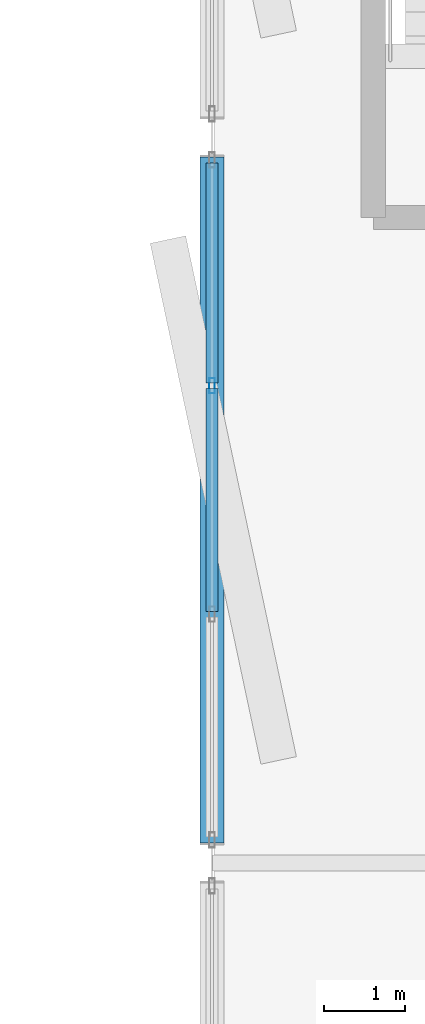
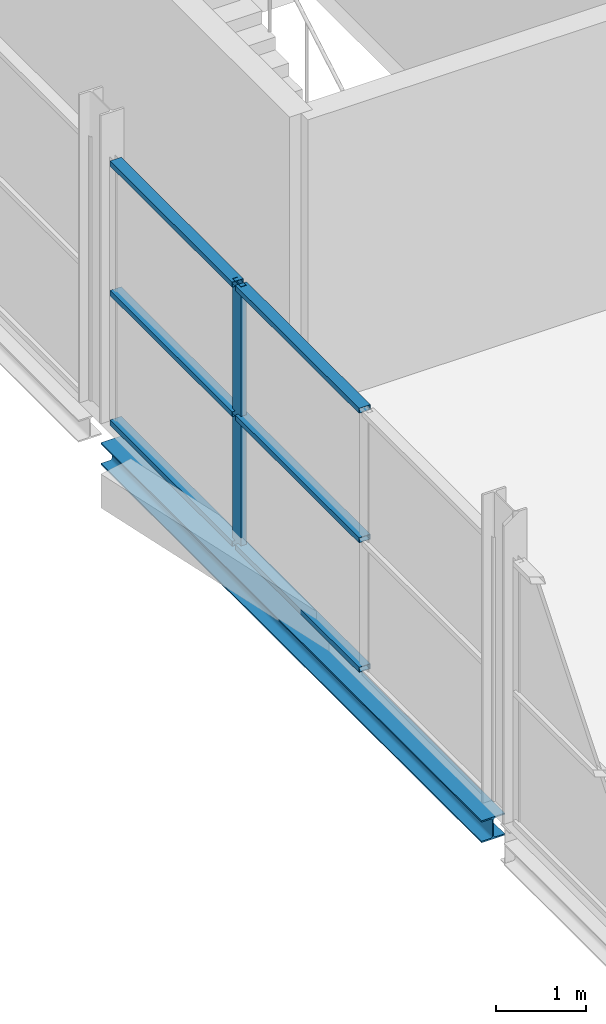
# One storey, part 57 of 132: 7 members, 1 beam, 1 element without a shape of its own.
"""IFC4 building model written with IfcOpenShell, lengths in metres."""

from ifc_helpers import new_model, si_unit, direction, frame, origin, origin_2d, place, context, subcontext, project, spatial, hollow_rectangle, i_section, extrude, material, layer, layer_set, material_profile, profile_set, type_object, element, aggregate, save


model = new_model("IFC4")

# Units and contexts
model_context = context("Model", 3, precision=1e-05, world=origin(), true_north=direction((0.0, 1.0)))
body_context = subcontext(model_context, "Body", "Model", "MODEL_VIEW")
ifc_project = project(units=[si_unit("LENGTHUNIT", "METRE"), si_unit("AREAUNIT", "SQUARE_METRE"), si_unit("VOLUMEUNIT", "CUBIC_METRE"), si_unit("PLANEANGLEUNIT", "RADIAN"), si_unit("MASSUNIT", "GRAM", prefix="KILO")], contexts=[model_context])

# Site, building, storey
site_placement = place(None, origin())
site = spatial("IfcSite", under=ifc_project, at=site_placement, CompositionType="ELEMENT")
building_placement = place(site_placement, origin())
building = spatial("IfcBuilding", under=site, at=building_placement, Name="Deido Ridge Mobility Hub", CompositionType="ELEMENT")
storey_placement = place(building_placement, frame((0.0, 0.0, 8.39990234375)))
storey = spatial("IfcBuildingStorey", under=building, at=storey_placement, Name="L02", CompositionType="ELEMENT", Elevation=8.39990234375)

# Curtain wall, members
ifc_material_1 = material(Name="Anodised aluminium EN AW-6063 T6", Category="aluminium")
ifc_layer = layer(ifc_material_1, 0.195068359375, Name="Anodised aluminium EN AW-6063 T6")
ifc_layer_set = layer_set([ifc_layer], Name="Anodised aluminium EN AW-6063 T6")
curtain_wall_type = type_object("IfcCurtainWallType", Name="CW-UF-3", PredefinedType="USERDEFINED", material=ifc_layer_set)
curtain_wall_placement = place(storey_placement, origin())
curtain_wall = element("IfcCurtainWall", 1, at=curtain_wall_placement, inside=storey, type_object=curtain_wall_type, Name="Unitised curtain wall CW3", ObjectType="UNITISED FACADE", PredefinedType="USERDEFINED")
ifc_material_profile_1 = material_profile(ifc_material_1, hollow_rectangle(XDim=0.070068359375, YDim=0.18994140625, WallThickness=0.00390625, at=origin_2d()), Name="RHS 70x190x4")
ifc_profile_set_1 = profile_set([ifc_material_profile_1], Name="Anodised aluminium EN AW-6063 T6")
member_type_1 = type_object("IfcMemberType", Name="MEM-MUL-70X190", PredefinedType="MULLION", material=ifc_profile_set_1)
member_1_placement = place(storey_placement, frame((72.0, 59.916748046875, 0.0), z_axis=(0.0, 0.0, 1.0), x_axis=(-1.0, 0.0, 0.0)))
member_1 = element("IfcMember", 2, at=member_1_placement, type_object=member_type_1, Name="CW3 mullion 3", PredefinedType="MULLION", context=body_context, shape_type="SweptSolid", body=[
    extrude(hollow_rectangle(XDim=0.070068359375, YDim=0.18994140625, WallThickness=0.00390625, at=origin_2d()), origin(), (0.0, 0.0, 1.0), 3.60009765625),
])
ifc_material_profile_2 = material_profile(ifc_material_1, hollow_rectangle(XDim=0.14501953125, YDim=0.070068359375, WallThickness=0.00390625, at=origin_2d()), Name="RHS 145x70x4")
ifc_profile_set_2 = profile_set([ifc_material_profile_2], Name="Anodised aluminium EN AW-6063 T6")
member_type_2 = type_object("IfcMemberType", Name="MEM-TRN-145X70", PredefinedType="USERDEFINED", material=ifc_profile_set_2)
member_2_placement = place(storey_placement, frame((72.0, 57.118408203125, 0.03515625), z_axis=(0.0, 1.0, 0.0), x_axis=(-1.0, 0.0, 0.0)))
member_2 = element("IfcMember", 3, at=member_2_placement, type_object=member_type_2, Name="CW3 transom 2.1", ObjectType="TRANSOM", PredefinedType="USERDEFINED", context=body_context, shape_type="SweptSolid", body=[
    extrude(hollow_rectangle(XDim=0.14501953125, YDim=0.070068359375, WallThickness=0.00390625, at=origin_2d()), origin(), (0.0, 0.0, 1.0), 2.76318359375),
])
member_3_placement = place(storey_placement, frame((72.0, 57.118408203125, 1.800048828125), z_axis=(0.0, 1.0, 0.0), x_axis=(-1.0, 0.0, 0.0)))
member_3 = element("IfcMember", 4, at=member_3_placement, type_object=member_type_2, Name="CW3 transom 2.2", ObjectType="TRANSOM", PredefinedType="USERDEFINED", context=body_context, shape_type="SweptSolid", body=[
    extrude(hollow_rectangle(XDim=0.14501953125, YDim=0.070068359375, WallThickness=0.00390625, at=origin_2d()), origin(), (0.0, 0.0, 1.0), 2.76318359375),
])
member_4_placement = place(storey_placement, frame((72.0, 57.118408203125, 3.565185546875), z_axis=(0.0, 1.0, 0.0), x_axis=(-1.0, 0.0, 0.0)))
member_4 = element("IfcMember", 5, at=member_4_placement, type_object=member_type_2, Name="CW3 transom 2.3", ObjectType="TRANSOM", PredefinedType="USERDEFINED", context=body_context, shape_type="SweptSolid", body=[
    extrude(hollow_rectangle(XDim=0.14501953125, YDim=0.070068359375, WallThickness=0.00390625, at=origin_2d()), origin(), (0.0, 0.0, 1.0), 2.76318359375),
])
member_5_placement = place(storey_placement, frame((72.0, 59.95166015625, 0.03515625), z_axis=(0.0, 1.0, 0.0), x_axis=(-1.0, 0.0, 0.0)))
member_5 = element("IfcMember", 6, at=member_5_placement, type_object=member_type_2, Name="CW3 transom 3.1", ObjectType="TRANSOM", PredefinedType="USERDEFINED", context=body_context, shape_type="SweptSolid", body=[
    extrude(hollow_rectangle(XDim=0.14501953125, YDim=0.070068359375, WallThickness=0.00390625, at=origin_2d()), origin(), (0.0, 0.0, 1.0), 2.728271484375),
])
member_6_placement = place(storey_placement, frame((72.0, 59.95166015625, 1.800048828125), z_axis=(0.0, 1.0, 0.0), x_axis=(-1.0, 0.0, 0.0)))
member_6 = element("IfcMember", 7, at=member_6_placement, type_object=member_type_2, Name="CW3 transom 3.2", ObjectType="TRANSOM", PredefinedType="USERDEFINED", context=body_context, shape_type="SweptSolid", body=[
    extrude(hollow_rectangle(XDim=0.14501953125, YDim=0.070068359375, WallThickness=0.00390625, at=origin_2d()), origin(), (0.0, 0.0, 1.0), 2.728271484375),
])
member_7_placement = place(storey_placement, frame((72.0, 59.95166015625, 3.565185546875), z_axis=(0.0, 1.0, 0.0), x_axis=(-1.0, 0.0, 0.0)))
member_7 = element("IfcMember", 8, at=member_7_placement, type_object=member_type_2, Name="CW3 transom 3.3", ObjectType="TRANSOM", PredefinedType="USERDEFINED", context=body_context, shape_type="SweptSolid", body=[
    extrude(hollow_rectangle(XDim=0.14501953125, YDim=0.070068359375, WallThickness=0.00390625, at=origin_2d()), origin(), (0.0, 0.0, 1.0), 2.728271484375),
])
aggregate(curtain_wall, [member_1, member_2, member_3, member_4, member_5, member_6, member_7])

# Beam
ifc_material_2 = material(Name="Steel S355J2 EN 10025-2", Category="steel")
ifc_material_profile_3 = material_profile(ifc_material_2, i_section(OverallWidth=0.300048828125, OverallDepth=0.300048828125, WebThickness=0.010986328125, FlangeThickness=0.01904296875, FilletRadius=0.027099609375, at=origin_2d()), Name="HEB 300")
ifc_profile_set_3 = profile_set([ifc_material_profile_3], Name="Steel S355J2 EN 10025-2")
beam_type = type_object("IfcBeamType", Name="SPD-HEB300", PredefinedType="SPANDREL", material=ifc_profile_set_3)
beam_placement = place(storey_placement, frame((72.0, 54.25, -0.40478515625), z_axis=(0.0, 1.0, 0.0), x_axis=(-1.0, 0.0, 0.0)))
element("IfcBeam", 9, at=beam_placement, inside=storey, type_object=beam_type, Name="Floor beam SP1", PredefinedType="SPANDREL", context=body_context, shape_type="SweptSolid", body=[
    extrude(i_section(OverallWidth=0.300048828125, OverallDepth=0.300048828125, WebThickness=0.010986328125, FlangeThickness=0.01904296875, FilletRadius=0.027099609375, at=origin_2d()), origin(), (0.0, 0.0, 1.0), 8.5),
])

save(model, "model.ifc")
